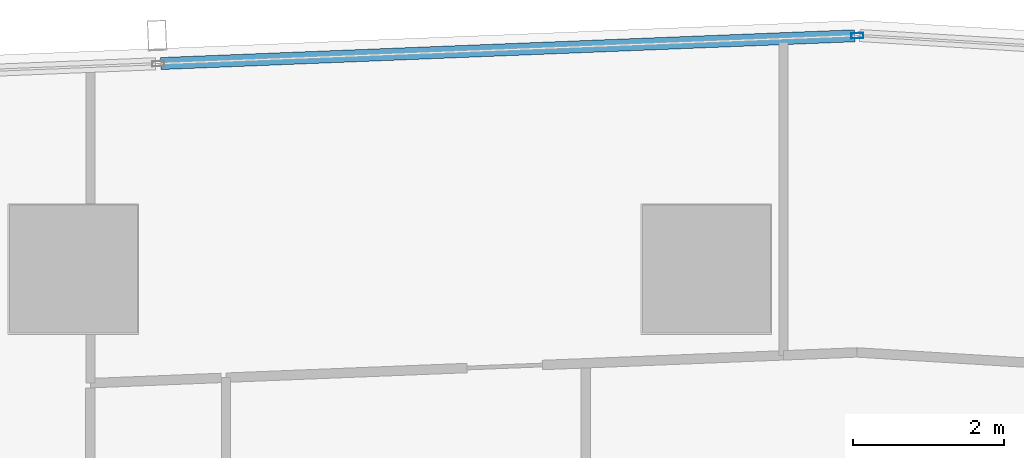
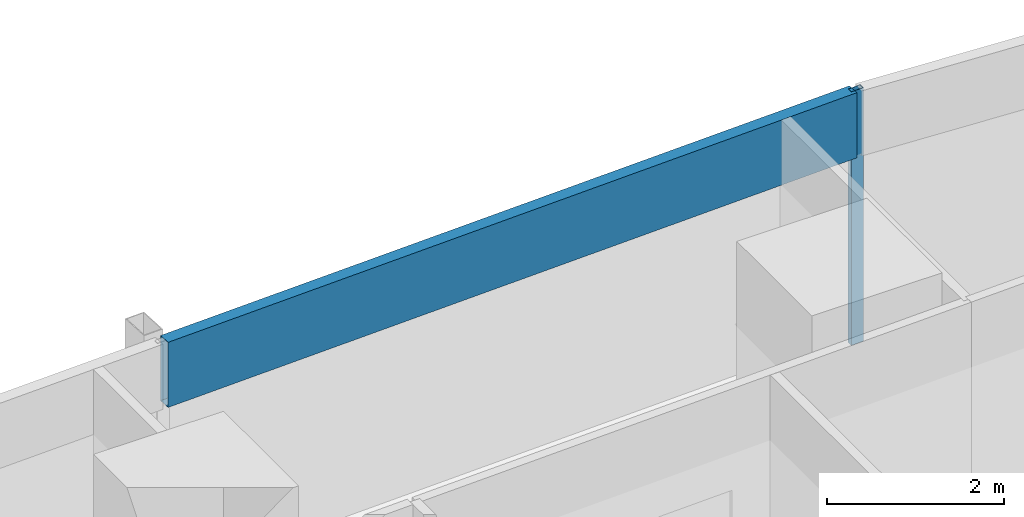
# One storey, part 21 of 40: 2 members, 1 element without a shape of its own.
"""IFC4 building model written with IfcOpenShell, lengths in metres."""

from ifc_helpers import new_model, si_unit, direction, frame, origin, origin_2d, place, context, subcontext, project, spatial, hollow_rectangle, extrude, material, material_profile, profile_set, type_object, element, aggregate, save


model = new_model("IFC4")

# Units and contexts
model_context = context("Model", 3, precision=1e-05, world=origin(), true_north=direction((0.0, 1.0)))
body_context = subcontext(model_context, "Body", "Model", "MODEL_VIEW")
ifc_project = project(units=[si_unit("LENGTHUNIT", "METRE"), si_unit("AREAUNIT", "SQUARE_METRE"), si_unit("VOLUMEUNIT", "CUBIC_METRE"), si_unit("PLANEANGLEUNIT", "RADIAN"), si_unit("MASSUNIT", "GRAM", prefix="KILO")], contexts=[model_context])

# Site, building, storey
site_placement = place(None, origin())
site = spatial("IfcSite", under=ifc_project, at=site_placement, CompositionType="ELEMENT")
building_placement = place(site_placement, origin())
building = spatial("IfcBuilding", under=site, at=building_placement, Name="Rekha Terrace Tower", CompositionType="ELEMENT")
storey_placement = place(building_placement, frame((0.0, 0.0, 121.550048828125)))
storey = spatial("IfcBuildingStorey", under=building, at=storey_placement, Name="L30", CompositionType="ELEMENT", Elevation=121.550048828125)

# Curtain wall, members
ifc_material_1 = material(Name="Aluminium framing", Category="aluminium")
curtain_wall_type = type_object("IfcCurtainWallType", Name="CW3 north unitised glazing", PredefinedType="USERDEFINED", material=ifc_material_1)
curtain_wall_placement = place(storey_placement, origin())
curtain_wall = element("IfcCurtainWall", 1, at=curtain_wall_placement, inside=storey, type_object=curtain_wall_type, Name="CW3 unitised curtain wall", ObjectType="UNITISED CURTAIN WALL", PredefinedType="USERDEFINED")
ifc_material_2 = material(Name="Aluminium mullion section", Category="aluminium")
ifc_material_profile_1 = material_profile(ifc_material_2, hollow_rectangle(XDim=0.070068359375, YDim=0.159912109375, WallThickness=0.00390625, at=origin_2d()), Name="AL RHS 70x160")
ifc_profile_set_1 = profile_set([ifc_material_profile_1], Name="Aluminium mullion section")
member_type_1 = type_object("IfcMemberType", Name="CW3 mullion RHS 70 x 160", PredefinedType="MULLION", material=ifc_profile_set_1)
member_1_placement = place(storey_placement, frame((44.0029296875, 61.8984375, 0.0), z_axis=(0.0, 0.0, 1.0), x_axis=(0.040031987119, -0.999198398721, 0.0)))
member_1 = element("IfcMember", 2, at=member_1_placement, type_object=member_type_1, Name="CW3 mullion 1", PredefinedType="MULLION", context=body_context, shape_type="SweptSolid", body=[
    extrude(hollow_rectangle(XDim=0.070068359375, YDim=0.159912109375, WallThickness=0.00390625, at=origin_2d()), origin(), (0.0, 0.0, 1.0), 3.5),
])
ifc_material_3 = material(Name="Insulated aluminium spandrel box", Category="aluminium")
ifc_material_profile_2 = material_profile(ifc_material_3, hollow_rectangle(XDim=0.159912109375, YDim=0.89990234375, WallThickness=0.0029296875, at=origin_2d()), Name="AL SPANDREL BOX 160x900")
ifc_profile_set_2 = profile_set([ifc_material_profile_2], Name="Insulated aluminium spandrel box")
member_type_2 = type_object("IfcMemberType", Name="CW3 spandrel transom 160 x 900", PredefinedType="USERDEFINED", material=ifc_profile_set_2)
member_2_placement = place(storey_placement, frame((43.968017578125, 61.89697265625, 3.050048828125), z_axis=(-0.999198290018, -0.04003470026, 0.0), x_axis=(0.04003470026, -0.999198290018, 0.0)))
member_2 = element("IfcMember", 3, at=member_2_placement, type_object=member_type_2, Name="CW3 spandrel transom 1", ObjectType="TRANSOM", PredefinedType="USERDEFINED", context=body_context, shape_type="SweptSolid", body=[
    extrude(hollow_rectangle(XDim=0.159912109375, YDim=0.89990234375, WallThickness=0.0029296875, at=origin_2d()), origin(), (0.0, 0.0, 1.0), 9.21435546875),
])
aggregate(curtain_wall, [member_1, member_2])

save(model, "model.ifc")
